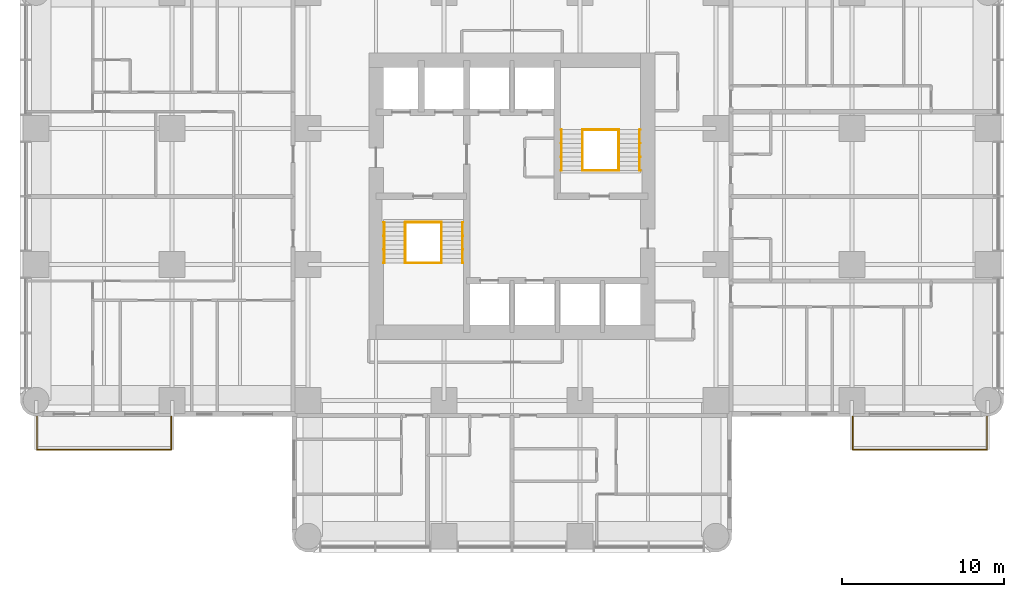
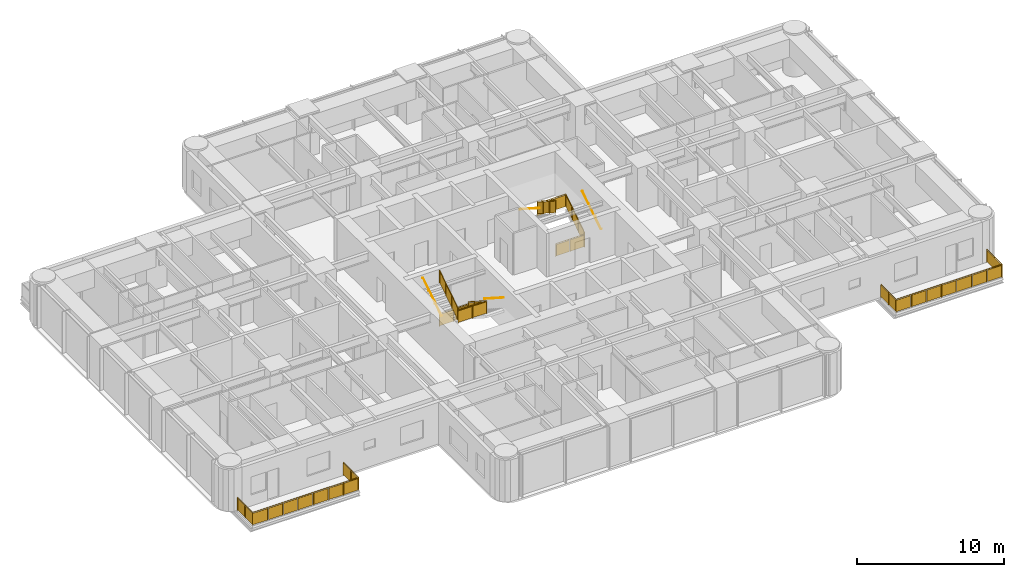
# One storey, part 13 of 14: 14 railings.
"""IFC4 building model written with IfcOpenShell, lengths in metres."""

from ifc_helpers import new_model, si_unit, direction, frame, origin, origin_2d, place, context, subcontext, project, spatial, polyline, circle, outline, extrude, material, constituent, constituent_set, type_object, element, save


model = new_model("IFC4")

# Units and contexts
model_context = context("Model", 3, precision=1e-05, world=origin(), true_north=direction((0.0, 1.0)))
body_context = subcontext(model_context, "Body", "Model", "MODEL_VIEW")
ifc_project = project(units=[si_unit("LENGTHUNIT", "METRE"), si_unit("AREAUNIT", "SQUARE_METRE"), si_unit("VOLUMEUNIT", "CUBIC_METRE"), si_unit("PLANEANGLEUNIT", "RADIAN"), si_unit("MASSUNIT", "GRAM", prefix="KILO")], contexts=[model_context])

# Site, building, storey
site_placement = place(None, origin())
site = spatial("IfcSite", under=ifc_project, at=site_placement, CompositionType="ELEMENT")
building_placement = place(site_placement, origin())
building = spatial("IfcBuilding", under=site, at=building_placement, Name="Torre Alcanfor", CompositionType="ELEMENT")
storey_placement = place(building_placement, frame((0.0, 0.0, 162.89990234375)))
storey = spatial("IfcBuildingStorey", under=building, at=storey_placement, Name="L42", CompositionType="ELEMENT", Elevation=162.89990234375)

# Railings
ifc_material_1 = material(Name="Laminated safety glass", Category="glass")
ifc_constituent_1 = constituent(ifc_material_1, Name="Infill")
ifc_material_2 = material(Name="Stainless steel ASTM A554 Grade MT 316L tube", Category="steel")
ifc_constituent_2 = constituent(ifc_material_2, Name="Posts and rail")
ifc_constituent_set = constituent_set(constituents=[ifc_constituent_1, ifc_constituent_2], Name="Balcony guard glass 1100")
railing_type_1 = type_object("IfcRailingType", Name="Balcony guard glass 1100", PredefinedType="BALUSTRADE", material=ifc_constituent_set)
railing_1_placement = place(storey_placement, frame((50.449951171875, 15.800048828125, 0.0)))
element("IfcRailing", 1, at=railing_1_placement, inside=storey, type_object=railing_type_1, Name="Balcony guard L42-E2", PredefinedType="BALUSTRADE", context=body_context, shape_type="SweptSolid", body=[
    extrude(circle(Radius=0.02392578125, at=origin_2d()), frame((0.0, 0.0, 1.076171875), z_axis=(0.0, -1.0, 0.0), x_axis=(1.0, 0.0, 0.0)), (0.0, 0.0, 1.0), 2.050048828125),
    extrude(circle(Radius=0.02392578125, at=origin_2d()), frame((0.0, -2.050048828125, 1.076171875), z_axis=(1.0, 0.0, 0.0), x_axis=(0.0, 1.0, 0.0)), (0.0, 0.0, 1.0), 8.300048828125),
    extrude(circle(Radius=0.02392578125, at=origin_2d()), frame((8.300048828125, -2.050048828125, 1.076171875), z_axis=(0.0, 1.0, 0.0), x_axis=(-1.0, 0.0, 0.0)), (0.0, 0.0, 1.0), 2.050048828125),
    extrude(circle(Radius=0.02099609375, at=origin_2d()), origin(), (0.0, 0.0, 1.0), 1.052001953125),
    extrude(circle(Radius=0.02099609375, at=origin_2d()), frame((0.0, -1.02490234375, 0.0)), (0.0, 0.0, 1.0), 1.052001953125),
    extrude(circle(Radius=0.02099609375, at=origin_2d()), frame((0.0, -2.050048828125, 0.0)), (0.0, 0.0, 1.0), 1.052001953125),
    extrude(circle(Radius=0.02099609375, at=origin_2d()), frame((1.185791015625, -2.050048828125, 0.0)), (0.0, 0.0, 1.0), 1.052001953125),
    extrude(circle(Radius=0.02099609375, at=origin_2d()), frame((2.371337890625, -2.050048828125, 0.0)), (0.0, 0.0, 1.0), 1.052001953125),
    extrude(circle(Radius=0.02099609375, at=origin_2d()), frame((3.55712890625, -2.050048828125, 0.0)), (0.0, 0.0, 1.0), 1.052001953125),
    extrude(circle(Radius=0.02099609375, at=origin_2d()), frame((4.742919921875, -2.050048828125, 0.0)), (0.0, 0.0, 1.0), 1.052001953125),
    extrude(circle(Radius=0.02099609375, at=origin_2d()), frame((5.9287109375, -2.050048828125, 0.0)), (0.0, 0.0, 1.0), 1.052001953125),
    extrude(circle(Radius=0.02099609375, at=origin_2d()), frame((7.1142578125, -2.050048828125, 0.0)), (0.0, 0.0, 1.0), 1.052001953125),
    extrude(circle(Radius=0.02099609375, at=origin_2d()), frame((8.300048828125, -2.050048828125, 0.0)), (0.0, 0.0, 1.0), 1.052001953125),
    extrude(circle(Radius=0.02099609375, at=origin_2d()), frame((8.300048828125, -1.02490234375, 0.0)), (0.0, 0.0, 1.0), 1.052001953125),
    extrude(circle(Radius=0.02099609375, at=origin_2d()), frame((8.300048828125, 0.0, 0.0)), (0.0, 0.0, 1.0), 1.052001953125),
    extrude(outline(polyline([(0.041015625, 0.050048828125), (0.984130859375, 0.050048828125), (0.984130859375, 1.001953125), (0.041015625, 1.001953125), (0.041015625, 0.050048828125)])), frame((0.005859375, 0.0, 0.0), z_axis=(-1.0, 0.0, 0.0), x_axis=(0.0, -1.0, 0.0)), (0.0, 0.0, 1.0), 0.011962890625),
    extrude(outline(polyline([(1.06591796875, 0.050048828125), (2.009033203125, 0.050048828125), (2.009033203125, 1.001953125), (1.06591796875, 1.001953125), (1.06591796875, 0.050048828125)])), frame((0.005859375, 0.0, 0.0), z_axis=(-1.0, 0.0, 0.0), x_axis=(0.0, -1.0, 0.0)), (0.0, 0.0, 1.0), 0.011962890625),
    extrude(outline(polyline([(0.041015625, 0.050048828125), (1.144775390625, 0.050048828125), (1.144775390625, 1.001953125), (0.041015625, 1.001953125), (0.041015625, 0.050048828125)])), frame((0.0, -2.0439453125, 0.0), z_axis=(0.0, -1.0, 0.0), x_axis=(1.0, 0.0, 0.0)), (0.0, 0.0, 1.0), 0.011962890625),
    extrude(outline(polyline([(1.226806640625, 0.050048828125), (2.330322265625, 0.050048828125), (2.330322265625, 1.001953125), (1.226806640625, 1.001953125), (1.226806640625, 0.050048828125)])), frame((0.0, -2.0439453125, 0.0), z_axis=(0.0, -1.0, 0.0), x_axis=(1.0, 0.0, 0.0)), (0.0, 0.0, 1.0), 0.011962890625),
    extrude(outline(polyline([(2.412353515625, 0.050048828125), (3.51611328125, 0.050048828125), (3.51611328125, 1.001953125), (2.412353515625, 1.001953125), (2.412353515625, 0.050048828125)])), frame((0.0, -2.0439453125, 0.0), z_axis=(0.0, -1.0, 0.0), x_axis=(1.0, 0.0, 0.0)), (0.0, 0.0, 1.0), 0.011962890625),
    extrude(outline(polyline([(3.59814453125, 0.050048828125), (4.701904296875, 0.050048828125), (4.701904296875, 1.001953125), (3.59814453125, 1.001953125), (3.59814453125, 0.050048828125)])), frame((0.0, -2.0439453125, 0.0), z_axis=(0.0, -1.0, 0.0), x_axis=(1.0, 0.0, 0.0)), (0.0, 0.0, 1.0), 0.011962890625),
    extrude(outline(polyline([(4.783935546875, 0.050048828125), (5.8876953125, 0.050048828125), (5.8876953125, 1.001953125), (4.783935546875, 1.001953125), (4.783935546875, 0.050048828125)])), frame((0.0, -2.0439453125, 0.0), z_axis=(0.0, -1.0, 0.0), x_axis=(1.0, 0.0, 0.0)), (0.0, 0.0, 1.0), 0.011962890625),
    extrude(outline(polyline([(5.9697265625, 0.050048828125), (7.0732421875, 0.050048828125), (7.0732421875, 1.001953125), (5.9697265625, 1.001953125), (5.9697265625, 0.050048828125)])), frame((0.0, -2.0439453125, 0.0), z_axis=(0.0, -1.0, 0.0), x_axis=(1.0, 0.0, 0.0)), (0.0, 0.0, 1.0), 0.011962890625),
    extrude(outline(polyline([(7.1552734375, 0.050048828125), (8.259033203125, 0.050048828125), (8.259033203125, 1.001953125), (7.1552734375, 1.001953125), (7.1552734375, 0.050048828125)])), frame((0.0, -2.0439453125, 0.0), z_axis=(0.0, -1.0, 0.0), x_axis=(1.0, 0.0, 0.0)), (0.0, 0.0, 1.0), 0.011962890625),
    extrude(outline(polyline([(0.041015625, 0.050048828125), (0.984130859375, 0.050048828125), (0.984130859375, 1.001953125), (0.041015625, 1.001953125), (0.041015625, 0.050048828125)])), frame((8.2939453125, -2.050048828125, 0.0), z_axis=(1.0, 0.0, 0.0), x_axis=(0.0, 1.0, 0.0)), (0.0, 0.0, 1.0), 0.011962890625),
    extrude(outline(polyline([(1.06591796875, 0.050048828125), (2.009033203125, 0.050048828125), (2.009033203125, 1.001953125), (1.06591796875, 1.001953125), (1.06591796875, 0.050048828125)])), frame((8.2939453125, -2.050048828125, 0.0), z_axis=(1.0, 0.0, 0.0), x_axis=(0.0, 1.0, 0.0)), (0.0, 0.0, 1.0), 0.011962890625),
])
railing_2_placement = place(storey_placement, frame((8.35009765625, 15.800048828125, 0.0)))
element("IfcRailing", 2, at=railing_2_placement, inside=storey, type_object=railing_type_1, Name="Balcony guard L42-W1", PredefinedType="BALUSTRADE", context=body_context, shape_type="SweptSolid", body=[
    extrude(circle(Radius=0.02392578125, at=origin_2d()), frame((0.0, 0.0, 1.076171875), z_axis=(0.0, -1.0, 0.0), x_axis=(1.0, 0.0, 0.0)), (0.0, 0.0, 1.0), 2.050048828125),
    extrude(circle(Radius=0.02392578125, at=origin_2d()), frame((0.0, -2.050048828125, 1.076171875), z_axis=(-1.0, 0.0, 0.0), x_axis=(0.0, -1.0, 0.0)), (0.0, 0.0, 1.0), 8.300048828125),
    extrude(circle(Radius=0.02392578125, at=origin_2d()), frame((-8.300048828125, -2.050048828125, 1.076171875), z_axis=(0.0, 1.0, 0.0), x_axis=(-1.0, 0.0, 0.0)), (0.0, 0.0, 1.0), 2.050048828125),
    extrude(circle(Radius=0.02099609375, at=origin_2d()), origin(), (0.0, 0.0, 1.0), 1.052001953125),
    extrude(circle(Radius=0.02099609375, at=origin_2d()), frame((0.0, -1.02490234375, 0.0)), (0.0, 0.0, 1.0), 1.052001953125),
    extrude(circle(Radius=0.02099609375, at=origin_2d()), frame((0.0, -2.050048828125, 0.0)), (0.0, 0.0, 1.0), 1.052001953125),
    extrude(circle(Radius=0.02099609375, at=origin_2d()), frame((-1.185791015625, -2.050048828125, 0.0)), (0.0, 0.0, 1.0), 1.052001953125),
    extrude(circle(Radius=0.02099609375, at=origin_2d()), frame((-2.371337890625, -2.050048828125, 0.0)), (0.0, 0.0, 1.0), 1.052001953125),
    extrude(circle(Radius=0.02099609375, at=origin_2d()), frame((-3.55712890625, -2.050048828125, 0.0)), (0.0, 0.0, 1.0), 1.052001953125),
    extrude(circle(Radius=0.02099609375, at=origin_2d()), frame((-4.742919921875, -2.050048828125, 0.0)), (0.0, 0.0, 1.0), 1.052001953125),
    extrude(circle(Radius=0.02099609375, at=origin_2d()), frame((-5.9287109375, -2.050048828125, 0.0)), (0.0, 0.0, 1.0), 1.052001953125),
    extrude(circle(Radius=0.02099609375, at=origin_2d()), frame((-7.1142578125, -2.050048828125, 0.0)), (0.0, 0.0, 1.0), 1.052001953125),
    extrude(circle(Radius=0.02099609375, at=origin_2d()), frame((-8.300048828125, -2.050048828125, 0.0)), (0.0, 0.0, 1.0), 1.052001953125),
    extrude(circle(Radius=0.02099609375, at=origin_2d()), frame((-8.300048828125, -1.02490234375, 0.0)), (0.0, 0.0, 1.0), 1.052001953125),
    extrude(circle(Radius=0.02099609375, at=origin_2d()), frame((-8.300048828125, 0.0, 0.0)), (0.0, 0.0, 1.0), 1.052001953125),
    extrude(outline(polyline([(0.041015625, 0.050048828125), (0.984130859375, 0.050048828125), (0.984130859375, 1.001953125), (0.041015625, 1.001953125), (0.041015625, 0.050048828125)])), frame((0.005859375, 0.0, 0.0), z_axis=(-1.0, 0.0, 0.0), x_axis=(0.0, -1.0, 0.0)), (0.0, 0.0, 1.0), 0.011962890625),
    extrude(outline(polyline([(1.06591796875, 0.050048828125), (2.009033203125, 0.050048828125), (2.009033203125, 1.001953125), (1.06591796875, 1.001953125), (1.06591796875, 0.050048828125)])), frame((0.005859375, 0.0, 0.0), z_axis=(-1.0, 0.0, 0.0), x_axis=(0.0, -1.0, 0.0)), (0.0, 0.0, 1.0), 0.011962890625),
    extrude(outline(polyline([(0.041015625, 0.050048828125), (1.144775390625, 0.050048828125), (1.144775390625, 1.001953125), (0.041015625, 1.001953125), (0.041015625, 0.050048828125)])), frame((0.0, -2.05615234375, 0.0), z_axis=(0.0, 1.0, 0.0), x_axis=(-1.0, 0.0, 0.0)), (0.0, 0.0, 1.0), 0.011962890625),
    extrude(outline(polyline([(1.226806640625, 0.050048828125), (2.330322265625, 0.050048828125), (2.330322265625, 1.001953125), (1.226806640625, 1.001953125), (1.226806640625, 0.050048828125)])), frame((0.0, -2.05615234375, 0.0), z_axis=(0.0, 1.0, 0.0), x_axis=(-1.0, 0.0, 0.0)), (0.0, 0.0, 1.0), 0.011962890625),
    extrude(outline(polyline([(2.412353515625, 0.050048828125), (3.51611328125, 0.050048828125), (3.51611328125, 1.001953125), (2.412353515625, 1.001953125), (2.412353515625, 0.050048828125)])), frame((0.0, -2.05615234375, 0.0), z_axis=(0.0, 1.0, 0.0), x_axis=(-1.0, 0.0, 0.0)), (0.0, 0.0, 1.0), 0.011962890625),
    extrude(outline(polyline([(3.59814453125, 0.050048828125), (4.701904296875, 0.050048828125), (4.701904296875, 1.001953125), (3.59814453125, 1.001953125), (3.59814453125, 0.050048828125)])), frame((0.0, -2.05615234375, 0.0), z_axis=(0.0, 1.0, 0.0), x_axis=(-1.0, 0.0, 0.0)), (0.0, 0.0, 1.0), 0.011962890625),
    extrude(outline(polyline([(4.783935546875, 0.050048828125), (5.8876953125, 0.050048828125), (5.8876953125, 1.001953125), (4.783935546875, 1.001953125), (4.783935546875, 0.050048828125)])), frame((0.0, -2.05615234375, 0.0), z_axis=(0.0, 1.0, 0.0), x_axis=(-1.0, 0.0, 0.0)), (0.0, 0.0, 1.0), 0.011962890625),
    extrude(outline(polyline([(5.9697265625, 0.050048828125), (7.0732421875, 0.050048828125), (7.0732421875, 1.001953125), (5.9697265625, 1.001953125), (5.9697265625, 0.050048828125)])), frame((0.0, -2.05615234375, 0.0), z_axis=(0.0, 1.0, 0.0), x_axis=(-1.0, 0.0, 0.0)), (0.0, 0.0, 1.0), 0.011962890625),
    extrude(outline(polyline([(7.1552734375, 0.050048828125), (8.259033203125, 0.050048828125), (8.259033203125, 1.001953125), (7.1552734375, 1.001953125), (7.1552734375, 0.050048828125)])), frame((0.0, -2.05615234375, 0.0), z_axis=(0.0, 1.0, 0.0), x_axis=(-1.0, 0.0, 0.0)), (0.0, 0.0, 1.0), 0.011962890625),
    extrude(outline(polyline([(0.041015625, 0.050048828125), (0.984130859375, 0.050048828125), (0.984130859375, 1.001953125), (0.041015625, 1.001953125), (0.041015625, 0.050048828125)])), frame((-8.30615234375, -2.050048828125, 0.0), z_axis=(1.0, 0.0, 0.0), x_axis=(0.0, 1.0, 0.0)), (0.0, 0.0, 1.0), 0.011962890625),
    extrude(outline(polyline([(1.06591796875, 0.050048828125), (2.009033203125, 0.050048828125), (2.009033203125, 1.001953125), (1.06591796875, 1.001953125), (1.06591796875, 0.050048828125)])), frame((-8.30615234375, -2.050048828125, 0.0), z_axis=(1.0, 0.0, 0.0), x_axis=(0.0, 1.0, 0.0)), (0.0, 0.0, 1.0), 0.011962890625),
])
ifc_material_3 = material(Name="Steel ASTM A500 Grade C hollow sections", Category="steel")
railing_type_2 = type_object("IfcRailingType", Name="Stair guard and handrail 1100", PredefinedType="GUARDRAIL", material=ifc_material_3)
railing_3_placement = place(storey_placement, frame((25.050048828125, 27.800048828125, 0.18017578125)))
element("IfcRailing", 3, at=railing_3_placement, inside=storey, type_object=railing_type_2, Name="Stair guard S1 L42 flight 1", PredefinedType="GUARDRAIL", context=body_context, shape_type="SweptSolid", body=[
    extrude(circle(Radius=0.02392578125, at=origin_2d()), frame((0.0, 0.0, 1.076171875), z_axis=(0.0, -0.841199657755, 0.540724639528), x_axis=(1.0, 0.0, 0.0)), (0.0, 0.0, 1.0), 2.995849609375),
    extrude(circle(Radius=0.02099609375, at=origin_2d()), origin(), (0.0, 0.0, 1.0), 1.052001953125),
    extrude(circle(Radius=0.02099609375, at=origin_2d()), frame((0.0, -0.840087890625, 0.5400390625)), (0.0, 0.0, 1.0), 1.052001953125),
    extrude(circle(Radius=0.02099609375, at=origin_2d()), frame((0.0, -1.679931640625, 1.079833984375)), (0.0, 0.0, 1.0), 1.052001953125),
    extrude(circle(Radius=0.02099609375, at=origin_2d()), frame((0.0, -2.52001953125, 1.619873046875)), (0.0, 0.0, 1.0), 1.052001953125),
    extrude(outline(polyline([(0.041015625, 0.076416015625), (0.799072265625, 0.563720703125), (0.799072265625, 1.515625), (0.041015625, 1.0283203125), (0.041015625, 0.076416015625)])), frame((0.005859375, 0.0, 0.0), z_axis=(-1.0, 0.0, 0.0), x_axis=(0.0, -1.0, 0.0)), (0.0, 0.0, 1.0), 0.011962890625),
    extrude(outline(polyline([(0.881103515625, 0.6162109375), (1.638916015625, 1.103515625), (1.638916015625, 2.0556640625), (0.881103515625, 1.568359375), (0.881103515625, 0.6162109375)])), frame((0.005859375, 0.0, 0.0), z_axis=(-1.0, 0.0, 0.0), x_axis=(0.0, -1.0, 0.0)), (0.0, 0.0, 1.0), 0.011962890625),
    extrude(outline(polyline([(1.720947265625, 1.15625), (2.47900390625, 1.6435546875), (2.47900390625, 2.595458984375), (1.720947265625, 2.108154296875), (1.720947265625, 1.15625)])), frame((0.005859375, 0.0, 0.0), z_axis=(-1.0, 0.0, 0.0), x_axis=(0.0, -1.0, 0.0)), (0.0, 0.0, 1.0), 0.011962890625),
])
railing_4_placement = place(storey_placement, frame((22.800048828125, 25.280029296875, 1.97998046875)))
element("IfcRailing", 4, at=railing_4_placement, inside=storey, type_object=railing_type_2, Name="Stair guard S1 L42 flight 2", PredefinedType="GUARDRAIL", context=body_context, shape_type="SweptSolid", body=[
    extrude(circle(Radius=0.02392578125, at=origin_2d()), frame((0.0, 0.0, 1.076171875), z_axis=(0.0, 0.841162588446, 0.540782303519), x_axis=(-1.0, 0.0, 0.0)), (0.0, 0.0, 1.0), 2.995849609375),
    extrude(circle(Radius=0.02099609375, at=origin_2d()), origin(), (0.0, 0.0, 1.0), 1.052001953125),
    extrude(circle(Radius=0.02099609375, at=origin_2d()), frame((0.0, 0.840087890625, 0.5400390625)), (0.0, 0.0, 1.0), 1.052001953125),
    extrude(circle(Radius=0.02099609375, at=origin_2d()), frame((0.0, 1.679931640625, 1.080078125)), (0.0, 0.0, 1.0), 1.052001953125),
    extrude(circle(Radius=0.02099609375, at=origin_2d()), frame((0.0, 2.52001953125, 1.6201171875)), (0.0, 0.0, 1.0), 1.052001953125),
    extrude(outline(polyline([(0.041015625, 0.076416015625), (0.799072265625, 0.563720703125), (0.799072265625, 1.515625), (0.041015625, 1.0283203125), (0.041015625, 0.076416015625)])), frame((-0.005859375, 0.0, 0.0), z_axis=(1.0, 0.0, 0.0), x_axis=(0.0, 1.0, 0.0)), (0.0, 0.0, 1.0), 0.011962890625),
    extrude(outline(polyline([(0.881103515625, 0.616455078125), (1.638916015625, 1.103759765625), (1.638916015625, 2.0556640625), (0.881103515625, 1.568359375), (0.881103515625, 0.616455078125)])), frame((-0.005859375, 0.0, 0.0), z_axis=(1.0, 0.0, 0.0), x_axis=(0.0, 1.0, 0.0)), (0.0, 0.0, 1.0), 0.011962890625),
    extrude(outline(polyline([(1.720947265625, 1.156494140625), (2.47900390625, 1.643798828125), (2.47900390625, 2.595703125), (1.720947265625, 2.1083984375), (1.720947265625, 1.156494140625)])), frame((-0.005859375, 0.0, 0.0), z_axis=(1.0, 0.0, 0.0), x_axis=(0.0, 1.0, 0.0)), (0.0, 0.0, 1.0), 0.011962890625),
])
for number, where, name in (
    (5, (22.800048828125, 27.800048828125, 0.0), "Stair well guard S1 L42 floor landing"),
    (6, (22.800048828125, 25.280029296875, 1.800048828125), "Stair well guard S1 L42 half landing"),
):
    element("IfcRailing", number, at=place(storey_placement, frame(where)), inside=storey, type_object=railing_type_2, Name=name, PredefinedType="GUARDRAIL", context=body_context, shape_type="SweptSolid", body=[
        extrude(circle(Radius=0.02392578125, at=origin_2d()), frame((0.0, 0.0, 1.076171875), z_axis=(1.0, 0.0, 0.0), x_axis=(0.0, 1.0, 0.0)), (0.0, 0.0, 1.0), 2.25),
        extrude(circle(Radius=0.02099609375, at=origin_2d()), origin(), (0.0, 0.0, 1.0), 1.052001953125),
        extrude(circle(Radius=0.02099609375, at=origin_2d()), frame((1.125, 0.0, 0.0)), (0.0, 0.0, 1.0), 1.052001953125),
        extrude(circle(Radius=0.02099609375, at=origin_2d()), frame((2.25, 0.0, 0.0)), (0.0, 0.0, 1.0), 1.052001953125),
        extrude(outline(polyline([(0.041015625, 0.050048828125), (1.083984375, 0.050048828125), (1.083984375, 1.001953125), (0.041015625, 1.001953125), (0.041015625, 0.050048828125)])), frame((0.0, 0.005859375, 0.0), z_axis=(0.0, -1.0, 0.0), x_axis=(1.0, 0.0, 0.0)), (0.0, 0.0, 1.0), 0.011962890625),
        extrude(outline(polyline([(1.166015625, 0.050048828125), (2.208984375, 0.050048828125), (2.208984375, 1.001953125), (1.166015625, 1.001953125), (1.166015625, 0.050048828125)])), frame((0.0, 0.005859375, 0.0), z_axis=(0.0, -1.0, 0.0), x_axis=(1.0, 0.0, 0.0)), (0.0, 0.0, 1.0), 0.011962890625),
    ])
railing_5_placement = place(storey_placement, frame((36.0, 31.0, 0.18017578125)))
element("IfcRailing", 7, at=railing_5_placement, inside=storey, type_object=railing_type_2, Name="Stair guard S2 L42 flight 1", PredefinedType="GUARDRAIL", context=body_context, shape_type="SweptSolid", body=[
    extrude(circle(Radius=0.02392578125, at=origin_2d()), frame((0.0, 0.0, 1.076171875), z_axis=(0.0, 0.841199657755, 0.540724639528), x_axis=(-1.0, 0.0, 0.0)), (0.0, 0.0, 1.0), 2.995849609375),
    extrude(circle(Radius=0.02099609375, at=origin_2d()), origin(), (0.0, 0.0, 1.0), 1.052001953125),
    extrude(circle(Radius=0.02099609375, at=origin_2d()), frame((0.0, 0.840087890625, 0.5400390625)), (0.0, 0.0, 1.0), 1.052001953125),
    extrude(circle(Radius=0.02099609375, at=origin_2d()), frame((0.0, 1.679931640625, 1.079833984375)), (0.0, 0.0, 1.0), 1.052001953125),
    extrude(circle(Radius=0.02099609375, at=origin_2d()), frame((0.0, 2.52001953125, 1.619873046875)), (0.0, 0.0, 1.0), 1.052001953125),
    extrude(outline(polyline([(0.041015625, 0.076416015625), (0.799072265625, 0.563720703125), (0.799072265625, 1.515625), (0.041015625, 1.0283203125), (0.041015625, 0.076416015625)])), frame((-0.005859375, 0.0, 0.0), z_axis=(1.0, 0.0, 0.0), x_axis=(0.0, 1.0, 0.0)), (0.0, 0.0, 1.0), 0.011962890625),
    extrude(outline(polyline([(0.881103515625, 0.6162109375), (1.638916015625, 1.103515625), (1.638916015625, 2.0556640625), (0.881103515625, 1.568359375), (0.881103515625, 0.6162109375)])), frame((-0.005859375, 0.0, 0.0), z_axis=(1.0, 0.0, 0.0), x_axis=(0.0, 1.0, 0.0)), (0.0, 0.0, 1.0), 0.011962890625),
    extrude(outline(polyline([(1.720947265625, 1.15625), (2.47900390625, 1.6435546875), (2.47900390625, 2.595458984375), (1.720947265625, 2.108154296875), (1.720947265625, 1.15625)])), frame((-0.005859375, 0.0, 0.0), z_axis=(1.0, 0.0, 0.0), x_axis=(0.0, 1.0, 0.0)), (0.0, 0.0, 1.0), 0.011962890625),
])
railing_6_placement = place(storey_placement, frame((33.75, 33.52001953125, 1.97998046875)))
element("IfcRailing", 8, at=railing_6_placement, inside=storey, type_object=railing_type_2, Name="Stair guard S2 L42 flight 2", PredefinedType="GUARDRAIL", context=body_context, shape_type="SweptSolid", body=[
    extrude(circle(Radius=0.02392578125, at=origin_2d()), frame((0.0, 0.0, 1.076171875), z_axis=(0.0, -0.841162588446, 0.540782303519), x_axis=(1.0, 0.0, 0.0)), (0.0, 0.0, 1.0), 2.995849609375),
    extrude(circle(Radius=0.02099609375, at=origin_2d()), origin(), (0.0, 0.0, 1.0), 1.052001953125),
    extrude(circle(Radius=0.02099609375, at=origin_2d()), frame((0.0, -0.840087890625, 0.5400390625)), (0.0, 0.0, 1.0), 1.052001953125),
    extrude(circle(Radius=0.02099609375, at=origin_2d()), frame((0.0, -1.679931640625, 1.080078125)), (0.0, 0.0, 1.0), 1.052001953125),
    extrude(circle(Radius=0.02099609375, at=origin_2d()), frame((0.0, -2.52001953125, 1.6201171875)), (0.0, 0.0, 1.0), 1.052001953125),
    extrude(outline(polyline([(0.041015625, 0.076416015625), (0.799072265625, 0.563720703125), (0.799072265625, 1.515625), (0.041015625, 1.0283203125), (0.041015625, 0.076416015625)])), frame((0.005859375, 0.0, 0.0), z_axis=(-1.0, 0.0, 0.0), x_axis=(0.0, -1.0, 0.0)), (0.0, 0.0, 1.0), 0.011962890625),
    extrude(outline(polyline([(0.881103515625, 0.616455078125), (1.638916015625, 1.103759765625), (1.638916015625, 2.0556640625), (0.881103515625, 1.568359375), (0.881103515625, 0.616455078125)])), frame((0.005859375, 0.0, 0.0), z_axis=(-1.0, 0.0, 0.0), x_axis=(0.0, -1.0, 0.0)), (0.0, 0.0, 1.0), 0.011962890625),
    extrude(outline(polyline([(1.720947265625, 1.156494140625), (2.47900390625, 1.643798828125), (2.47900390625, 2.595703125), (1.720947265625, 2.1083984375), (1.720947265625, 1.156494140625)])), frame((0.005859375, 0.0, 0.0), z_axis=(-1.0, 0.0, 0.0), x_axis=(0.0, -1.0, 0.0)), (0.0, 0.0, 1.0), 0.011962890625),
])
for number, where, name in (
    (9, (33.75, 31.0, 0.0), "Stair well guard S2 L42 floor landing"),
    (10, (33.75, 33.52001953125, 1.800048828125), "Stair well guard S2 L42 half landing"),
):
    element("IfcRailing", number, at=place(storey_placement, frame(where)), inside=storey, type_object=railing_type_2, Name=name, PredefinedType="GUARDRAIL", context=body_context, shape_type="SweptSolid", body=[
        extrude(circle(Radius=0.02392578125, at=origin_2d()), frame((0.0, 0.0, 1.076171875), z_axis=(1.0, 0.0, 0.0), x_axis=(0.0, 1.0, 0.0)), (0.0, 0.0, 1.0), 2.25),
        extrude(circle(Radius=0.02099609375, at=origin_2d()), origin(), (0.0, 0.0, 1.0), 1.052001953125),
        extrude(circle(Radius=0.02099609375, at=origin_2d()), frame((1.125, 0.0, 0.0)), (0.0, 0.0, 1.0), 1.052001953125),
        extrude(circle(Radius=0.02099609375, at=origin_2d()), frame((2.25, 0.0, 0.0)), (0.0, 0.0, 1.0), 1.052001953125),
        extrude(outline(polyline([(0.041015625, 0.050048828125), (1.083984375, 0.050048828125), (1.083984375, 1.001953125), (0.041015625, 1.001953125), (0.041015625, 0.050048828125)])), frame((0.0, 0.005859375, 0.0), z_axis=(0.0, -1.0, 0.0), x_axis=(1.0, 0.0, 0.0)), (0.0, 0.0, 1.0), 0.011962890625),
        extrude(outline(polyline([(1.166015625, 0.050048828125), (2.208984375, 0.050048828125), (2.208984375, 1.001953125), (1.166015625, 1.001953125), (1.166015625, 0.050048828125)])), frame((0.0, 0.005859375, 0.0), z_axis=(0.0, -1.0, 0.0), x_axis=(1.0, 0.0, 0.0)), (0.0, 0.0, 1.0), 0.011962890625),
    ])
ifc_material_4 = material(Name="Steel ASTM A500 Grade C hollow sections", Category="steel")
railing_type_3 = type_object("IfcRailingType", Name="Stair wall handrail 900", PredefinedType="HANDRAIL", material=ifc_material_4)
railing_7_placement = place(storey_placement, frame((26.3349609375, 27.800048828125, 0.18017578125)))
element("IfcRailing", 11, at=railing_7_placement, inside=storey, type_object=railing_type_3, Name="Stair handrail S1 L42 flight 1", PredefinedType="HANDRAIL", context=body_context, shape_type="SweptSolid", body=[
    extrude(circle(Radius=0.02392578125, at=origin_2d()), frame((0.0, 0.0, 0.8759765625), z_axis=(0.0, -0.841199657755, 0.540724639528), x_axis=(1.0, 0.0, 0.0)), (0.0, 0.0, 1.0), 2.995849609375),
    extrude(circle(Radius=0.008056640625, at=origin_2d()), frame((0.0, 0.0, 0.8759765625), z_axis=(1.0, 0.0, 0.0), x_axis=(0.0, 0.0, 1.0)), (0.0, 0.0, 1.0), 0.06494140625),
    extrude(circle(Radius=0.008056640625, at=origin_2d()), frame((0.0, -0.840087890625, 1.415771484375), z_axis=(1.0, 0.0, 0.0), x_axis=(0.0, 0.0, 1.0)), (0.0, 0.0, 1.0), 0.06494140625),
    extrude(circle(Radius=0.008056640625, at=origin_2d()), frame((0.0, -1.679931640625, 1.955810546875), z_axis=(1.0, 0.0, 0.0), x_axis=(0.0, 0.0, 1.0)), (0.0, 0.0, 1.0), 0.06494140625),
    extrude(circle(Radius=0.008056640625, at=origin_2d()), frame((0.0, -2.52001953125, 2.49560546875), z_axis=(1.0, 0.0, 0.0), x_axis=(0.0, 0.0, 1.0)), (0.0, 0.0, 1.0), 0.06494140625),
])
railing_8_placement = place(storey_placement, frame((21.514892578125, 25.280029296875, 1.97998046875)))
element("IfcRailing", 12, at=railing_8_placement, inside=storey, type_object=railing_type_3, Name="Stair handrail S1 L42 flight 2", PredefinedType="HANDRAIL", context=body_context, shape_type="SweptSolid", body=[
    extrude(circle(Radius=0.02392578125, at=origin_2d()), frame((0.0, 0.0, 0.8759765625), z_axis=(0.0, 0.841162588446, 0.540782303519), x_axis=(-1.0, 0.0, 0.0)), (0.0, 0.0, 1.0), 2.995849609375),
    extrude(circle(Radius=0.008056640625, at=origin_2d()), frame((0.0, 0.0, 0.8759765625), z_axis=(-1.0, 0.0, 0.0), x_axis=(0.0, 0.0, 1.0)), (0.0, 0.0, 1.0), 0.06494140625),
    extrude(circle(Radius=0.008056640625, at=origin_2d()), frame((0.0, 0.840087890625, 1.416015625), z_axis=(-1.0, 0.0, 0.0), x_axis=(0.0, 0.0, 1.0)), (0.0, 0.0, 1.0), 0.06494140625),
    extrude(circle(Radius=0.008056640625, at=origin_2d()), frame((0.0, 1.679931640625, 1.9560546875), z_axis=(-1.0, 0.0, 0.0), x_axis=(0.0, 0.0, 1.0)), (0.0, 0.0, 1.0), 0.06494140625),
    extrude(circle(Radius=0.008056640625, at=origin_2d()), frame((0.0, 2.52001953125, 2.49609375), z_axis=(-1.0, 0.0, 0.0), x_axis=(0.0, 0.0, 1.0)), (0.0, 0.0, 1.0), 0.06494140625),
])
railing_9_placement = place(storey_placement, frame((37.284912109375, 31.0, 0.18017578125)))
element("IfcRailing", 13, at=railing_9_placement, inside=storey, type_object=railing_type_3, Name="Stair handrail S2 L42 flight 1", PredefinedType="HANDRAIL", context=body_context, shape_type="SweptSolid", body=[
    extrude(circle(Radius=0.02392578125, at=origin_2d()), frame((0.0, 0.0, 0.8759765625), z_axis=(0.0, 0.841199657755, 0.540724639528), x_axis=(-1.0, 0.0, 0.0)), (0.0, 0.0, 1.0), 2.995849609375),
    extrude(circle(Radius=0.008056640625, at=origin_2d()), frame((0.0, 0.0, 0.8759765625), z_axis=(1.0, 0.0, 0.0), x_axis=(0.0, 0.0, 1.0)), (0.0, 0.0, 1.0), 0.06494140625),
    extrude(circle(Radius=0.008056640625, at=origin_2d()), frame((0.0, 0.840087890625, 1.415771484375), z_axis=(1.0, 0.0, 0.0), x_axis=(0.0, 0.0, 1.0)), (0.0, 0.0, 1.0), 0.06494140625),
    extrude(circle(Radius=0.008056640625, at=origin_2d()), frame((0.0, 1.679931640625, 1.955810546875), z_axis=(1.0, 0.0, 0.0), x_axis=(0.0, 0.0, 1.0)), (0.0, 0.0, 1.0), 0.06494140625),
    extrude(circle(Radius=0.008056640625, at=origin_2d()), frame((0.0, 2.52001953125, 2.49560546875), z_axis=(1.0, 0.0, 0.0), x_axis=(0.0, 0.0, 1.0)), (0.0, 0.0, 1.0), 0.06494140625),
])
railing_10_placement = place(storey_placement, frame((32.465087890625, 33.52001953125, 1.97998046875)))
element("IfcRailing", 14, at=railing_10_placement, inside=storey, type_object=railing_type_3, Name="Stair handrail S2 L42 flight 2", PredefinedType="HANDRAIL", context=body_context, shape_type="SweptSolid", body=[
    extrude(circle(Radius=0.02392578125, at=origin_2d()), frame((0.0, 0.0, 0.8759765625), z_axis=(0.0, -0.841162588446, 0.540782303519), x_axis=(1.0, 0.0, 0.0)), (0.0, 0.0, 1.0), 2.995849609375),
    extrude(circle(Radius=0.008056640625, at=origin_2d()), frame((0.0, 0.0, 0.8759765625), z_axis=(-1.0, 0.0, 0.0), x_axis=(0.0, 0.0, 1.0)), (0.0, 0.0, 1.0), 0.06494140625),
    extrude(circle(Radius=0.008056640625, at=origin_2d()), frame((0.0, -0.840087890625, 1.416015625), z_axis=(-1.0, 0.0, 0.0), x_axis=(0.0, 0.0, 1.0)), (0.0, 0.0, 1.0), 0.06494140625),
    extrude(circle(Radius=0.008056640625, at=origin_2d()), frame((0.0, -1.679931640625, 1.9560546875), z_axis=(-1.0, 0.0, 0.0), x_axis=(0.0, 0.0, 1.0)), (0.0, 0.0, 1.0), 0.06494140625),
    extrude(circle(Radius=0.008056640625, at=origin_2d()), frame((0.0, -2.52001953125, 2.49609375), z_axis=(-1.0, 0.0, 0.0), x_axis=(0.0, 0.0, 1.0)), (0.0, 0.0, 1.0), 0.06494140625),
])

save(model, "model.ifc")
